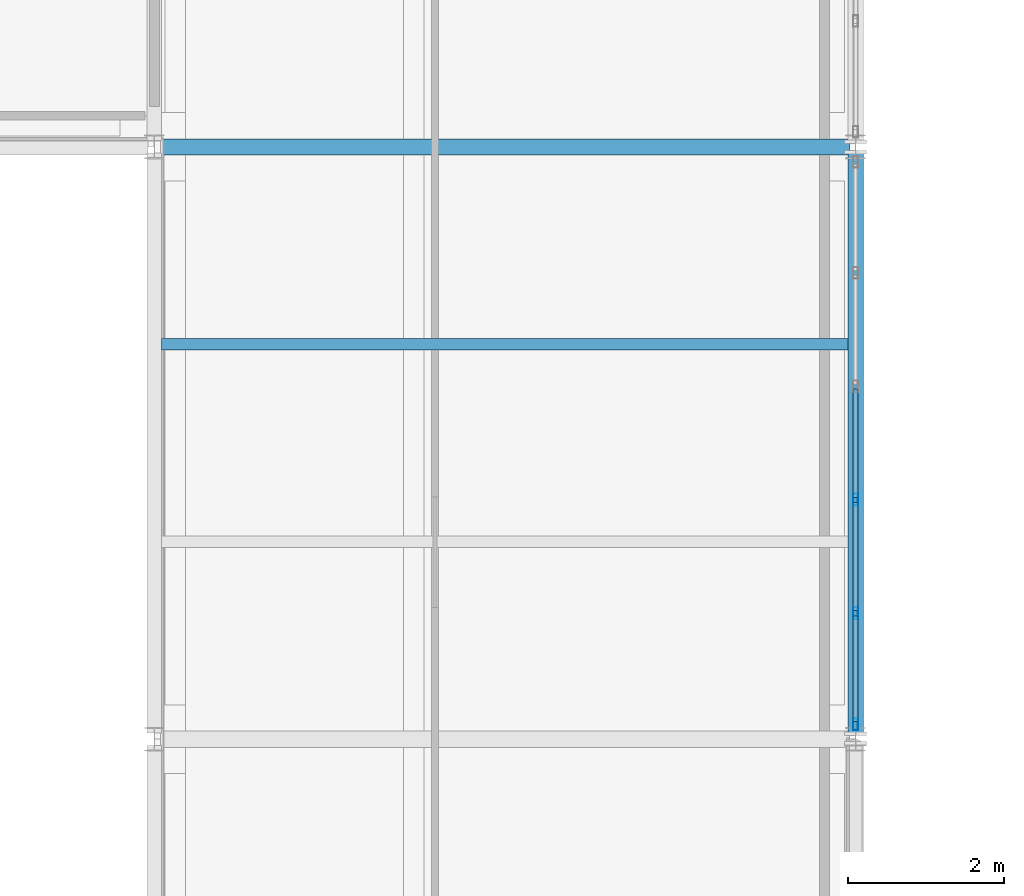
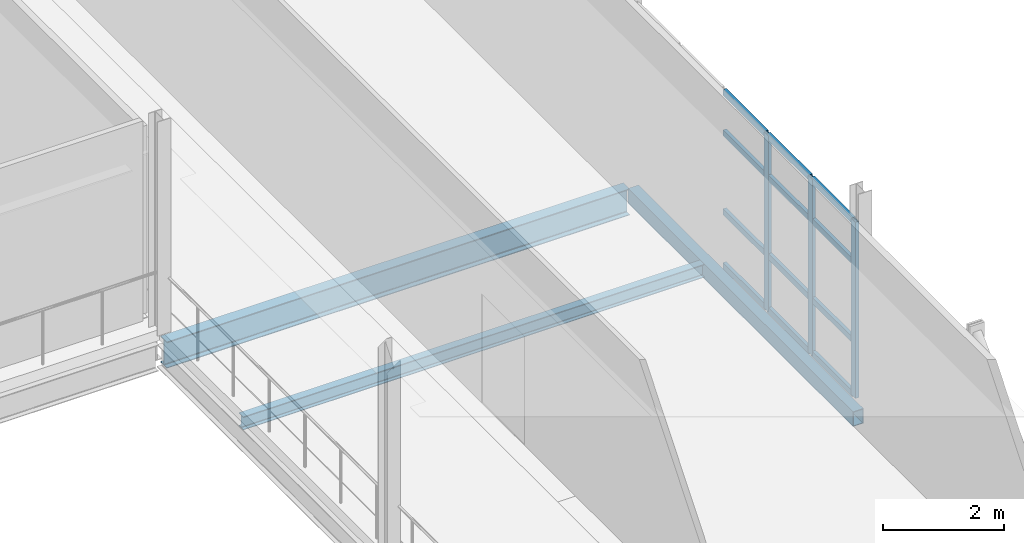
# One storey, part 62 of 96: 15 members, 3 beams, 1 element without a shape of its own.
"""IFC4 building model written with IfcOpenShell, lengths in metres."""

import ifcopenshell
import ifcopenshell.guid

model = None  # the IFC model being written
_history = None  # IfcOwnerHistory: only IFC2X3 demands one
_inside = {}  # id of a spatial element -> (the spatial element, [elements in it])
_under = {}  # id of a project, library or spatial element -> (it, [spatial elements below it])
_declared = {}  # id of a project -> (the project, [libraries it declares])
_typed = {}  # id of a type object -> (the type object, [elements of that type])
_made_of = {}  # id of a material, layer set ... -> (it, [elements and type objects made of it])


def new_model(schema):
    """Start an empty IFC model of exactly this schema.

    Asked for "IFC4X3", IfcOpenShell would pick the latest addendum, in which some entities
    have other attributes; the version numbers below select the first issue.
    IFC2X3 requires an IfcOwnerHistory on every rooted entity: one is made here for all.
    """
    global model, _history
    if schema == "IFC4X3":
        model = ifcopenshell.file(schema_version=(4, 3, 0, 0))
    else:
        model = ifcopenshell.file(schema=schema)
    _inside.clear()
    _under.clear()
    _declared.clear()
    _typed.clear()
    _made_of.clear()
    _history = None
    if model.schema == "IFC2X3":
        org = make("IfcOrganization", Name="unknown")
        user = make(
            "IfcPersonAndOrganization",
            ThePerson=make("IfcPerson", FamilyName="unknown"),
            TheOrganization=org,
        )
        app = make(
            "IfcApplication",
            ApplicationDeveloper=org,
            Version="unknown",
            ApplicationFullName="unknown",
            ApplicationIdentifier="unknown",
        )
        _history = make(
            "IfcOwnerHistory",
            OwningUser=user,
            OwningApplication=app,
            ChangeAction="ADDED",
            CreationDate=0,
        )
    return model


def make(cls, **values):
    """One entity of the class cls with the attributes given. An attribute that is None is left unset."""
    return model.create_entity(
        cls, **{name: value for name, value in values.items() if value is not None}
    )


def rooted(cls, **values):
    """An entity with a GlobalId (a new one), such as an element, a storey or a relation."""
    return make(cls, GlobalId=ifcopenshell.guid.new(), OwnerHistory=_history, **values)


def si_unit(unit_type, name, prefix=None):
    """IfcSIUnit, for example si_unit("LENGTHUNIT", "METRE", prefix="MILLI")."""
    return make("IfcSIUnit", UnitType=unit_type, Prefix=prefix, Name=name)


def assignment(units):
    """IfcUnitAssignment: the units of a project."""
    return None if units is None else make("IfcUnitAssignment", Units=units)


def point(xyz):
    """IfcCartesianPoint."""
    return None if xyz is None else make("IfcCartesianPoint", Coordinates=xyz)


def direction(xyz):
    """IfcDirection."""
    return None if xyz is None else make("IfcDirection", DirectionRatios=xyz)


def frame(location, z_axis=None, x_axis=None):
    """IfcAxis2Placement3D, a coordinate frame: its origin and axes. An axis left out is left unset."""
    return make(
        "IfcAxis2Placement3D",
        Location=point(location),
        Axis=direction(z_axis),
        RefDirection=direction(x_axis),
    )


def frame_2d(location, x_axis=None):
    """IfcAxis2Placement2D, a coordinate frame in the plane: its origin and x axis."""
    return make(
        "IfcAxis2Placement2D", Location=point(location), RefDirection=direction(x_axis)
    )


def origin():
    """The frame at (0, 0, 0) with its axes left unset."""
    return frame((0.0, 0.0, 0.0))


def origin_2d():
    """The frame at (0, 0) in the plane with its x axis left unset."""
    return frame_2d((0.0, 0.0))


def place(relative_to, where):
    """IfcLocalPlacement: puts the frame where relative to a parent placement (None: the world)."""
    return make(
        "IfcLocalPlacement", PlacementRelTo=relative_to, RelativePlacement=where
    )


def context(
    kind, dimensions, precision=None, world=None, true_north=None, identifier=None
):
    """IfcGeometricRepresentationContext, for example the 3D "Model" context."""
    return make(
        "IfcGeometricRepresentationContext",
        ContextIdentifier=identifier,
        ContextType=kind,
        CoordinateSpaceDimension=dimensions,
        Precision=precision,
        WorldCoordinateSystem=world,
        TrueNorth=true_north,
    )


def subcontext(parent, identifier, kind, view, scale=None):
    """IfcGeometricRepresentationSubContext, for example "Body" below "Model"."""
    return make(
        "IfcGeometricRepresentationSubContext",
        ContextIdentifier=identifier,
        ContextType=kind,
        ParentContext=parent,
        TargetScale=scale,
        TargetView=view,
    )


def project(units=None, contexts=None):
    """IfcProject with its units and contexts."""
    return rooted(
        "IfcProject",
        Name="project",
        RepresentationContexts=contexts,
        UnitsInContext=assignment(units),
    )


def spatial(cls, under=None, at=None, **own):
    """A site, building, storey or space (cls), placed at a placement, below another one or the project."""
    s = rooted(cls, ObjectPlacement=at, **own)
    if under is not None:
        _under.setdefault(under.id(), (under, []))[1].append(s)
    return s


def profile(cls, at=None, kind="AREA", **sizes):
    """A parametric profile (cls). Its sizes go by their IFC names, for example OverallWidth=200.0."""
    return make(cls, ProfileType=kind, Position=at, **sizes)


def hollow_rectangle(**sizes):
    """IfcRectangleHollowProfileDef."""
    return profile("IfcRectangleHollowProfileDef", **sizes)


def i_section(**sizes):
    """IfcIShapeProfileDef."""
    return profile("IfcIShapeProfileDef", **sizes)


def extrude(swept, where, along, depth):
    """IfcExtrudedAreaSolid: the profile swept, set in the frame where, extruded along a direction by depth."""
    return make(
        "IfcExtrudedAreaSolid",
        SweptArea=swept,
        Position=where,
        ExtrudedDirection=direction(along),
        Depth=depth,
    )


def shape(context_of_items, identifier, shape_type, items):
    """IfcShapeRepresentation: the items that make up one representation, for example the "Body"."""
    return make(
        "IfcShapeRepresentation",
        ContextOfItems=context_of_items,
        RepresentationIdentifier=identifier,
        RepresentationType=shape_type,
        Items=items,
    )


def material(Name=None, Category=None):
    """IfcMaterial."""
    return make("IfcMaterial", Name=Name, Category=Category)


def material_profile(
    of_material, cross_section, Name=None, Category=None, Priority=None
):
    """IfcMaterialProfile: a cross section and its material."""
    return make(
        "IfcMaterialProfile",
        Name=Name,
        Material=of_material,
        Profile=cross_section,
        Priority=Priority,
        Category=Category,
    )


def profile_set(profiles, Name=None, composite=None):
    """IfcMaterialProfileSet."""
    return make(
        "IfcMaterialProfileSet",
        Name=Name,
        MaterialProfiles=profiles,
        CompositeProfile=composite,
    )


def made_of(thing, what):
    """Note that an element or type object is made of a material, layer set ...; save() writes the relation."""
    if what is not None:
        _made_of.setdefault(what.id(), (what, []))[1].append(thing)
    return thing


def type_object(cls, material=None, **own):
    """A type object (cls), such as IfcWallType, which elements share."""
    return made_of(rooted(cls, **own), material)


def element(
    cls,
    number,
    at=None,
    inside=None,
    cuts=None,
    type_object=None,
    material=None,
    context=None,
    identifier="Body",
    shape_type=None,
    held_by="IfcProductDefinitionShape",
    body=None,
    shapes=None,
    **own,
):
    """One element of the class cls, such as IfcWall. Its Tag is "e" and its number.

    at: its placement. inside: the storey or other place that contains it. cuts: it is an
    opening in that element (IfcRelVoidsElement). A single representation is given by context,
    identifier, shape_type and body (its items); several are given by shapes. held_by: the class
    of the entity that holds the representations. save() writes the other relations.
    """
    e = rooted(cls, Tag="e%d" % number, ObjectPlacement=at, **own)
    if body is not None:
        shapes = [shape(context, identifier, shape_type, body)]
    if shapes is not None:
        e.Representation = make(held_by, Representations=shapes)
    if inside is not None:
        _inside.setdefault(inside.id(), (inside, []))[1].append(e)
    if cuts is not None:
        rooted(
            "IfcRelVoidsElement", RelatingBuildingElement=cuts, RelatedOpeningElement=e
        )
    if type_object is not None:
        _typed.setdefault(type_object.id(), (type_object, []))[1].append(e)
    return made_of(e, material)


def aggregate(whole, parts):
    """IfcRelAggregates: a whole, such as a stair, and the parts it consists of."""
    return rooted("IfcRelAggregates", RelatingObject=whole, RelatedObjects=parts)


def save(model, path):
    """Write the relations noted so far, then the file.

    IfcRelAggregates (storeys below a building ...), IfcRelContainedInSpatialStructure (elements
    in a storey), IfcRelDefinesByType, IfcRelAssociatesMaterial and IfcRelDeclares: one each for
    every whole, place, type object, material and project.
    """
    for whole, parts in _under.values():
        aggregate(whole, parts)
    for where, things in _inside.values():
        rooted(
            "IfcRelContainedInSpatialStructure",
            RelatedElements=things,
            RelatingStructure=where,
        )
    for kind, things in _typed.values():
        rooted("IfcRelDefinesByType", RelatedObjects=things, RelatingType=kind)
    for what, things in _made_of.values():
        rooted("IfcRelAssociatesMaterial", RelatedObjects=things, RelatingMaterial=what)
    for by, libraries in _declared.values():
        rooted("IfcRelDeclares", RelatingContext=by, RelatedDefinitions=libraries)
    model.write(path)


model = new_model("IFC4")

# Units and contexts
model_context = context("Model", 3, precision=1e-05, world=origin(), true_north=direction((0.0, 1.0)))
body_context = subcontext(model_context, "Body", "Model", "MODEL_VIEW")
ifc_project = project(units=[si_unit("LENGTHUNIT", "METRE"), si_unit("AREAUNIT", "SQUARE_METRE"), si_unit("VOLUMEUNIT", "CUBIC_METRE"), si_unit("PLANEANGLEUNIT", "RADIAN"), si_unit("MASSUNIT", "GRAM", prefix="KILO")], contexts=[model_context])

# Site, building, storey
site_placement = place(None, origin())
site = spatial("IfcSite", under=ifc_project, at=site_placement, CompositionType="ELEMENT")
building_placement = place(site_placement, origin())
building = spatial("IfcBuilding", under=site, at=building_placement, Name="Caisbarro Railhouse Central Library", CompositionType="ELEMENT")
storey_placement = place(building_placement, frame((0.0, 0.0, 13.679931640625)))
storey = spatial("IfcBuildingStorey", under=building, at=storey_placement, Name="L03", CompositionType="ELEMENT", Elevation=13.679931640625)

# Beams
ifc_material_1 = material(Name="Steel ASTM A572 Grade 50", Category="steel")
ifc_material_profile_1 = material_profile(ifc_material_1, i_section(OverallWidth=0.208984375, OverallDepth=0.532958984375, WebThickness=0.01025390625, FlangeThickness=0.015625, FilletRadius=0.02001953125, at=origin_2d()), Name="W530X92.0")
ifc_profile_set_1 = profile_set([ifc_material_profile_1], Name="Steel ASTM A572 Grade 50")
beam_type_1 = type_object("IfcBeamType", Name="BM-G06", PredefinedType="BEAM", material=ifc_profile_set_1)
beam_1_placement = place(storey_placement, frame((144.080078125, 91.199951171875, -0.486328125), z_axis=(1.0, 0.0, 0.0), x_axis=(0.0, 1.0, 0.0)))
element("IfcBeam", 1, at=beam_1_placement, inside=storey, type_object=beam_type_1, Name="G06 beam L03 #1868", PredefinedType="BEAM", context=body_context, shape_type="SweptSolid", body=[
    extrude(i_section(OverallWidth=0.208984375, OverallDepth=0.532958984375, WebThickness=0.01025390625, FlangeThickness=0.015625, FilletRadius=0.02001953125, at=origin_2d()), origin(), (0.0, 0.0, 1.0), 8.83984375),
])
ifc_material_profile_2 = material_profile(ifc_material_1, i_section(OverallWidth=0.14794921875, OverallDepth=0.26611328125, WebThickness=0.007568359375, FlangeThickness=0.012939453125, FilletRadius=0.010009765625, at=origin_2d()), Name="W250X44.8")
ifc_profile_set_2 = profile_set([ifc_material_profile_2], Name="Steel ASTM A572 Grade 50")
beam_type_2 = type_object("IfcBeamType", Name="BM-J04", PredefinedType="JOIST", material=ifc_profile_set_2)
beam_2_placement = place(storey_placement, frame((144.094970703125, 88.666748046875, -0.35302734375), z_axis=(1.0, 0.0, 0.0), x_axis=(0.0, 1.0, 0.0)))
element("IfcBeam", 2, at=beam_2_placement, inside=storey, type_object=beam_type_2, Name="J04 beam L03 #1938", PredefinedType="JOIST", context=body_context, shape_type="SweptSolid", body=[
    extrude(i_section(OverallWidth=0.14794921875, OverallDepth=0.26611328125, WebThickness=0.007568359375, FlangeThickness=0.012939453125, FilletRadius=0.010009765625, at=origin_2d()), origin(), (0.0, 0.0, 1.0), 8.804931640625),
])
ifc_material_profile_3 = material_profile(ifc_material_1, hollow_rectangle(XDim=0.199951171875, YDim=0.300048828125, WallThickness=0.012451171875, at=origin_2d()), Name="HSS300X200X12.5")
ifc_profile_set_3 = profile_set([ifc_material_profile_3], Name="Steel ASTM A572 Grade 50")
beam_type_3 = type_object("IfcBeamType", Name="BM-SP02", PredefinedType="SPANDREL", material=ifc_profile_set_3)
beam_3_placement = place(storey_placement, frame((153.0, 83.679931640625, -0.369873046875), z_axis=(0.0, 1.0, 0.0), x_axis=(-1.0, 0.0, 0.0)))
element("IfcBeam", 3, at=beam_3_placement, inside=storey, type_object=beam_type_3, Name="SP02 beam L03 #1905", PredefinedType="SPANDREL", context=body_context, shape_type="SweptSolid", body=[
    extrude(hollow_rectangle(XDim=0.199951171875, YDim=0.300048828125, WallThickness=0.012451171875, at=origin_2d()), origin(), (0.0, 0.0, 1.0), 7.440185546875),
])

# Curtain wall, members
ifc_material_2 = material(Name="Anodised architectural aluminium", Category="aluminium")
curtain_wall_type = type_object("IfcCurtainWallType", Name="CW-CW03", PredefinedType="NOTDEFINED", material=ifc_material_2)
curtain_wall_placement = place(storey_placement, origin())
curtain_wall = element("IfcCurtainWall", 4, at=curtain_wall_placement, inside=storey, type_object=curtain_wall_type, Name="CW03 curtain wall L03 #152", PredefinedType="NOTDEFINED")
ifc_material_profile_4 = material_profile(ifc_material_2, hollow_rectangle(XDim=0.06494140625, YDim=0.14990234375, WallThickness=0.00390625, at=origin_2d()), Name="ALU-MUL-65X150")
ifc_profile_set_4 = profile_set([ifc_material_profile_4], Name="Anodised architectural aluminium")
member_type_1 = type_object("IfcMemberType", Name="CWM-M02", PredefinedType="MULLION", material=ifc_profile_set_4)
member_1_placement = place(storey_placement, frame((153.0, 83.79248046875, 0.0), z_axis=(0.0, 0.0, 1.0), x_axis=(-1.0, 0.0, 0.0)))
member_1 = element("IfcMember", 5, at=member_1_placement, type_object=member_type_1, Name="CW03 mullion 1", PredefinedType="MULLION", context=body_context, shape_type="SweptSolid", body=[
    extrude(hollow_rectangle(XDim=0.06494140625, YDim=0.14990234375, WallThickness=0.00390625, at=origin_2d()), origin(), (0.0, 0.0, 1.0), 3.56005859375),
])
member_2_placement = place(storey_placement, frame((153.0, 85.216064453125, 0.0), z_axis=(0.0, 0.0, 1.0), x_axis=(-1.0, 0.0, 0.0)))
member_2 = element("IfcMember", 6, at=member_2_placement, type_object=member_type_1, Name="CW03 mullion 2", PredefinedType="MULLION", context=body_context, shape_type="SweptSolid", body=[
    extrude(hollow_rectangle(XDim=0.06494140625, YDim=0.14990234375, WallThickness=0.00390625, at=origin_2d()), origin(), (0.0, 0.0, 1.0), 3.56005859375),
])
member_3_placement = place(storey_placement, frame((153.0, 86.672119140625, 0.0), z_axis=(0.0, 0.0, 1.0), x_axis=(-1.0, 0.0, 0.0)))
member_3 = element("IfcMember", 7, at=member_3_placement, type_object=member_type_1, Name="CW03 mullion 3", PredefinedType="MULLION", context=body_context, shape_type="SweptSolid", body=[
    extrude(hollow_rectangle(XDim=0.06494140625, YDim=0.14990234375, WallThickness=0.00390625, at=origin_2d()), origin(), (0.0, 0.0, 1.0), 3.56005859375),
])
ifc_material_profile_5 = material_profile(ifc_material_2, hollow_rectangle(XDim=0.06494140625, YDim=0.1201171875, WallThickness=0.00341796875, at=origin_2d()), Name="ALU-TRN-65X120")
ifc_profile_set_5 = profile_set([ifc_material_profile_5], Name="Anodised architectural aluminium")
member_type_2 = type_object("IfcMemberType", Name="CWT-T02", PredefinedType="USERDEFINED", material=ifc_profile_set_5)
member_4_placement = place(storey_placement, frame((153.0, 83.824951171875, 0.032470703125), z_axis=(0.0, 1.0, 0.0), x_axis=(-1.0, 0.0, 0.0)))
member_4 = element("IfcMember", 8, at=member_4_placement, type_object=member_type_2, Name="CW03 transom 1.1", ObjectType="TRANSOM", PredefinedType="USERDEFINED", context=body_context, shape_type="SweptSolid", body=[
    extrude(hollow_rectangle(XDim=0.06494140625, YDim=0.1201171875, WallThickness=0.00341796875, at=origin_2d()), origin(), (0.0, 0.0, 1.0), 1.358642578125),
])
member_5_placement = place(storey_placement, frame((153.0, 83.824951171875, 1.1201171875), z_axis=(0.0, 1.0, 0.0), x_axis=(-1.0, 0.0, 0.0)))
member_5 = element("IfcMember", 9, at=member_5_placement, type_object=member_type_2, Name="CW03 transom 1.2", ObjectType="TRANSOM", PredefinedType="USERDEFINED", context=body_context, shape_type="SweptSolid", body=[
    extrude(hollow_rectangle(XDim=0.06494140625, YDim=0.1201171875, WallThickness=0.00341796875, at=origin_2d()), origin(), (0.0, 0.0, 1.0), 1.358642578125),
])
member_6_placement = place(storey_placement, frame((153.0, 83.824951171875, 2.7099609375), z_axis=(0.0, 1.0, 0.0), x_axis=(-1.0, 0.0, 0.0)))
member_6 = element("IfcMember", 10, at=member_6_placement, type_object=member_type_2, Name="CW03 transom 1.3", ObjectType="TRANSOM", PredefinedType="USERDEFINED", context=body_context, shape_type="SweptSolid", body=[
    extrude(hollow_rectangle(XDim=0.06494140625, YDim=0.1201171875, WallThickness=0.00341796875, at=origin_2d()), origin(), (0.0, 0.0, 1.0), 1.358642578125),
])
member_7_placement = place(storey_placement, frame((153.0, 83.824951171875, 3.527587890625), z_axis=(0.0, 1.0, 0.0), x_axis=(-1.0, 0.0, 0.0)))
member_7 = element("IfcMember", 11, at=member_7_placement, type_object=member_type_2, Name="CW03 transom 1.4", ObjectType="TRANSOM", PredefinedType="USERDEFINED", context=body_context, shape_type="SweptSolid", body=[
    extrude(hollow_rectangle(XDim=0.06494140625, YDim=0.1201171875, WallThickness=0.00341796875, at=origin_2d()), origin(), (0.0, 0.0, 1.0), 1.358642578125),
])
member_8_placement = place(storey_placement, frame((153.0, 85.24853515625, 0.032470703125), z_axis=(0.0, 1.0, 0.0), x_axis=(-1.0, 0.0, 0.0)))
member_8 = element("IfcMember", 12, at=member_8_placement, type_object=member_type_2, Name="CW03 transom 2.1", ObjectType="TRANSOM", PredefinedType="USERDEFINED", context=body_context, shape_type="SweptSolid", body=[
    extrude(hollow_rectangle(XDim=0.06494140625, YDim=0.1201171875, WallThickness=0.00341796875, at=origin_2d()), origin(), (0.0, 0.0, 1.0), 1.390869140625),
])
member_9_placement = place(storey_placement, frame((153.0, 85.24853515625, 1.1201171875), z_axis=(0.0, 1.0, 0.0), x_axis=(-1.0, 0.0, 0.0)))
member_9 = element("IfcMember", 13, at=member_9_placement, type_object=member_type_2, Name="CW03 transom 2.2", ObjectType="TRANSOM", PredefinedType="USERDEFINED", context=body_context, shape_type="SweptSolid", body=[
    extrude(hollow_rectangle(XDim=0.06494140625, YDim=0.1201171875, WallThickness=0.00341796875, at=origin_2d()), origin(), (0.0, 0.0, 1.0), 1.390869140625),
])
member_10_placement = place(storey_placement, frame((153.0, 85.24853515625, 2.7099609375), z_axis=(0.0, 1.0, 0.0), x_axis=(-1.0, 0.0, 0.0)))
member_10 = element("IfcMember", 14, at=member_10_placement, type_object=member_type_2, Name="CW03 transom 2.3", ObjectType="TRANSOM", PredefinedType="USERDEFINED", context=body_context, shape_type="SweptSolid", body=[
    extrude(hollow_rectangle(XDim=0.06494140625, YDim=0.1201171875, WallThickness=0.00341796875, at=origin_2d()), origin(), (0.0, 0.0, 1.0), 1.390869140625),
])
member_11_placement = place(storey_placement, frame((153.0, 85.24853515625, 3.527587890625), z_axis=(0.0, 1.0, 0.0), x_axis=(-1.0, 0.0, 0.0)))
member_11 = element("IfcMember", 15, at=member_11_placement, type_object=member_type_2, Name="CW03 transom 2.4", ObjectType="TRANSOM", PredefinedType="USERDEFINED", context=body_context, shape_type="SweptSolid", body=[
    extrude(hollow_rectangle(XDim=0.06494140625, YDim=0.1201171875, WallThickness=0.00341796875, at=origin_2d()), origin(), (0.0, 0.0, 1.0), 1.390869140625),
])
member_12_placement = place(storey_placement, frame((153.0, 86.70458984375, 0.032470703125), z_axis=(0.0, 1.0, 0.0), x_axis=(-1.0, 0.0, 0.0)))
member_12 = element("IfcMember", 16, at=member_12_placement, type_object=member_type_2, Name="CW03 transom 3.1", ObjectType="TRANSOM", PredefinedType="USERDEFINED", context=body_context, shape_type="SweptSolid", body=[
    extrude(hollow_rectangle(XDim=0.06494140625, YDim=0.1201171875, WallThickness=0.00341796875, at=origin_2d()), origin(), (0.0, 0.0, 1.0), 1.390869140625),
])
member_13_placement = place(storey_placement, frame((153.0, 86.70458984375, 1.1201171875), z_axis=(0.0, 1.0, 0.0), x_axis=(-1.0, 0.0, 0.0)))
member_13 = element("IfcMember", 17, at=member_13_placement, type_object=member_type_2, Name="CW03 transom 3.2", ObjectType="TRANSOM", PredefinedType="USERDEFINED", context=body_context, shape_type="SweptSolid", body=[
    extrude(hollow_rectangle(XDim=0.06494140625, YDim=0.1201171875, WallThickness=0.00341796875, at=origin_2d()), origin(), (0.0, 0.0, 1.0), 1.390869140625),
])
member_14_placement = place(storey_placement, frame((153.0, 86.70458984375, 2.7099609375), z_axis=(0.0, 1.0, 0.0), x_axis=(-1.0, 0.0, 0.0)))
member_14 = element("IfcMember", 18, at=member_14_placement, type_object=member_type_2, Name="CW03 transom 3.3", ObjectType="TRANSOM", PredefinedType="USERDEFINED", context=body_context, shape_type="SweptSolid", body=[
    extrude(hollow_rectangle(XDim=0.06494140625, YDim=0.1201171875, WallThickness=0.00341796875, at=origin_2d()), origin(), (0.0, 0.0, 1.0), 1.390869140625),
])
member_15_placement = place(storey_placement, frame((153.0, 86.70458984375, 3.527587890625), z_axis=(0.0, 1.0, 0.0), x_axis=(-1.0, 0.0, 0.0)))
member_15 = element("IfcMember", 19, at=member_15_placement, type_object=member_type_2, Name="CW03 transom 3.4", ObjectType="TRANSOM", PredefinedType="USERDEFINED", context=body_context, shape_type="SweptSolid", body=[
    extrude(hollow_rectangle(XDim=0.06494140625, YDim=0.1201171875, WallThickness=0.00341796875, at=origin_2d()), origin(), (0.0, 0.0, 1.0), 1.390869140625),
])
aggregate(curtain_wall, [member_1, member_2, member_3, member_4, member_5, member_6, member_7, member_8, member_9, member_10, member_11, member_12, member_13, member_14, member_15])

save(model, "model.ifc")
